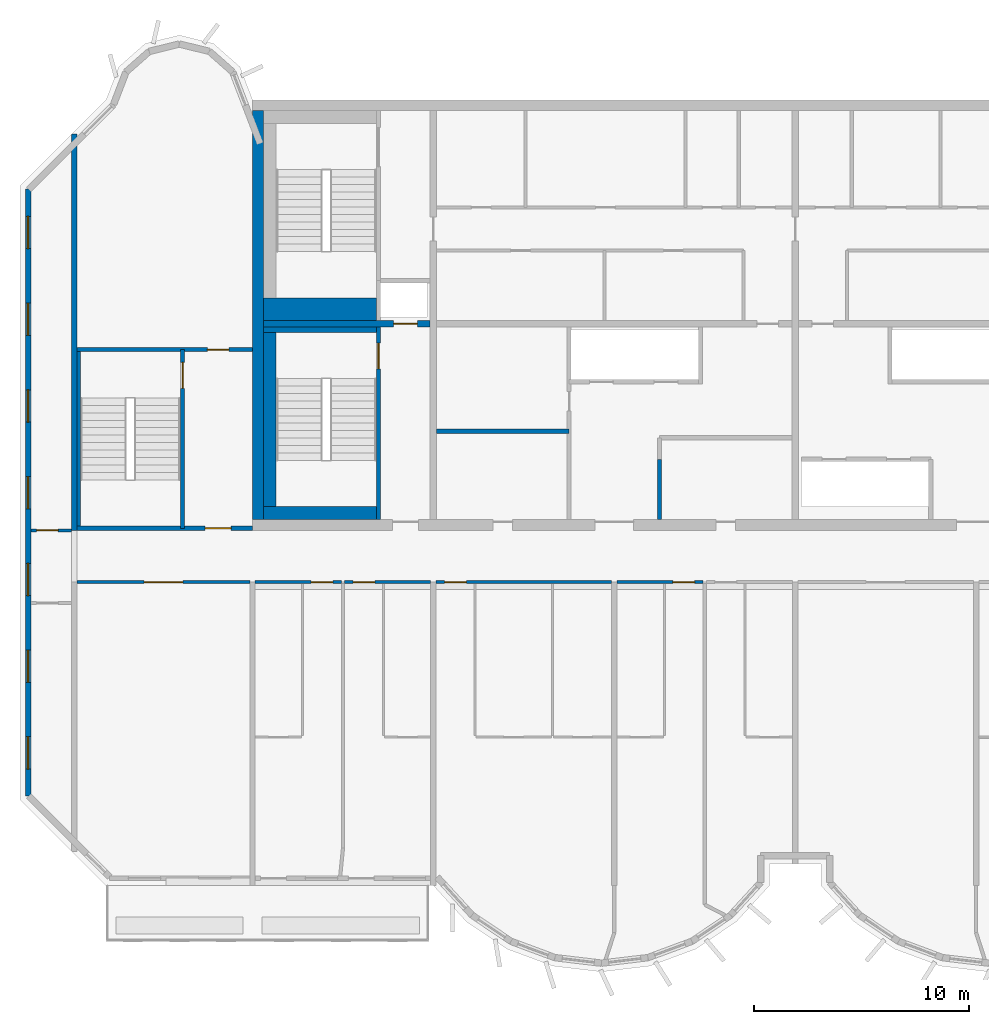
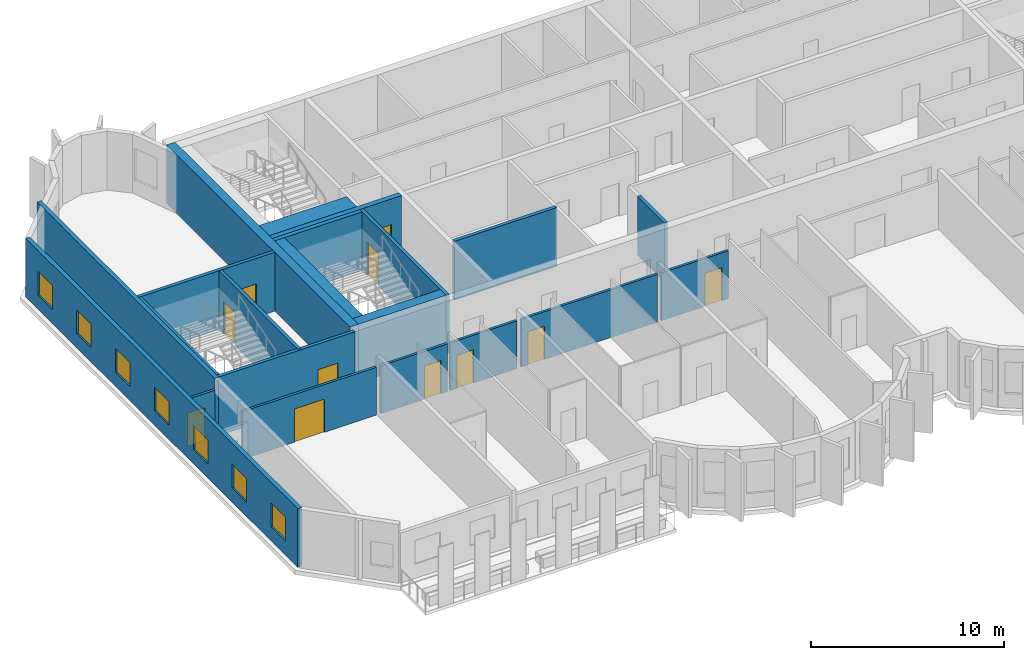
# One storey, part 3 of 12: 21 walls, 11 doors, 7 windows, 18 openings.
"""IFC4 building model written with IfcOpenShell, lengths in metres."""

from ifc_helpers import new_model, si_unit, direction, frame, frame_2d, origin, place, context, subcontext, project, spatial, rectangle, extrude, source, transform, mapped, material, layer, layer_set, type_object, element, fill, save


model = new_model("IFC4")

# Units and contexts
model_context = context("Model", 3, precision=1e-05, world=origin(), true_north=direction((0.0, 1.0)))
body_context = subcontext(model_context, "Body", "Model", "MODEL_VIEW")
ifc_project = project(units=[si_unit("LENGTHUNIT", "METRE"), si_unit("AREAUNIT", "SQUARE_METRE"), si_unit("VOLUMEUNIT", "CUBIC_METRE"), si_unit("PLANEANGLEUNIT", "RADIAN"), si_unit("MASSUNIT", "GRAM", prefix="KILO")], contexts=[model_context])

# Site, building, storey
site_placement = place(None, origin())
site = spatial("IfcSite", under=ifc_project, at=site_placement, CompositionType="ELEMENT")
building_placement = place(site_placement, origin())
building = spatial("IfcBuilding", under=site, at=building_placement, Name="Vanashikhar Sky Hotel", CompositionType="ELEMENT")
storey_placement = place(building_placement, frame((0.0, 0.0, 301.699951171875)))
storey = spatial("IfcBuildingStorey", under=building, at=storey_placement, Name="L72", CompositionType="ELEMENT", Elevation=301.699951171875)

# Wall
ifc_material_1 = material(Name="Concrete M50", Category="concrete")
ifc_layer_1 = layer(ifc_material_1, 0.5)
ifc_layer_set_1 = layer_set([ifc_layer_1], Name="RC core shell wall 500 Concrete M50")
wall_type_1 = type_object("IfcWallType", Name="RC core shell wall 500 Concrete M50", PredefinedType="SHEAR", material=ifc_layer_set_1)
shared_shape_1 = source(origin(), body_context, "Body", "SweptSolid", [
    extrude(rectangle(XDim=19.0, YDim=0.5, at=frame_2d((9.5, 0.0))), origin(), (0.0, 0.0, 1.0), 3.719970703125),
])
wall_1_placement = place(storey_placement, frame((25.449951171875, 22.5, 0.0), z_axis=(0.0, 0.0, 1.0), x_axis=(0.0, 1.0, 0.0)))
element("IfcWall", 1, at=wall_1_placement, inside=storey, type_object=wall_type_1, Name="KW-L72-KW", PredefinedType="SHEAR", context=body_context, shape_type="MappedRepresentation", body=[
    mapped(shared_shape_1, transform((0.0, 0.0, 0.0), scale=1.0)),
])

# Wall, opening, door
ifc_layer_2 = layer(ifc_material_1, 0.300048828125)
ifc_layer_set_2 = layer_set([ifc_layer_2], Name="RC core inner wall 300 Concrete M50")
wall_type_2 = type_object("IfcWallType", Name="RC core inner wall 300 Concrete M50", PredefinedType="SHEAR", material=ifc_layer_set_2)
shared_shape_2 = source(origin(), body_context, "Body", "SweptSolid", [
    extrude(rectangle(XDim=7.75, YDim=0.300048828125, at=frame_2d((3.875, 0.0))), origin(), (0.0, 0.0, 1.0), 3.719970703125),
])
wall_2_placement = place(storey_placement, frame((25.699951171875, 31.60009765625, 0.0), z_axis=(0.0, 0.0, 1.0), x_axis=(1.0, 0.0, 0.0)))
wall_2 = element("IfcWall", 2, at=wall_2_placement, inside=storey, type_object=wall_type_2, Name="KW-L72-KY1", PredefinedType="SHEAR", context=body_context, shape_type="MappedRepresentation", body=[
    mapped(shared_shape_2, transform((0.0, 0.0, 0.0), scale=1.0)),
])
shared_shape_3 = source(origin(), body_context, "Body", "SweptSolid", [
    extrude(rectangle(XDim=1.10009765625, YDim=2.10009765625, at=frame_2d((0.550048828125, 1.050048828125))), frame((0.0, 0.16015625, 0.0), z_axis=(0.0, -1.0, 0.0), x_axis=(1.0, 0.0, 0.0)), (0.0, 0.0, 1.0), 0.320068359375),
])
opening_1_placement = place(wall_2_placement, frame((6.050048828125, 0.0, 0.0)))
opening_1 = element("IfcOpeningElement", 3, at=opening_1_placement, cuts=wall_2, Name="Opening LD", PredefinedType="OPENING", context=body_context, shape_type="MappedRepresentation", body=[
    mapped(shared_shape_3, transform((0.0, 0.0, 0.0), scale=1.0)),
])
ifc_material_2 = material(Name="Stainless steel", Category="steel")
door_type_1 = type_object("IfcDoorType", Name="Lift landing door 1100", OperationType="NOTDEFINED", PredefinedType="DOOR", material=ifc_material_2)
shared_shape_4 = source(origin(), body_context, "Body", "SweptSolid", [
    extrude(rectangle(XDim=1.10009765625, YDim=2.10009765625, at=frame_2d((0.550048828125, 1.050048828125))), frame((0.0, 0.02490234375, 0.0), z_axis=(0.0, -1.0, 0.0), x_axis=(1.0, 0.0, 0.0)), (0.0, 0.0, 1.0), 0.050048828125),
])
door_1_placement = place(opening_1_placement, origin())
door_1 = element("IfcDoor", 4, at=door_1_placement, inside=storey, type_object=door_type_1, Name="Lift landing door 1100", OperationType="SLIDING_TO_LEFT", OverallHeight=2.10009765625, OverallWidth=1.10009765625, PredefinedType="DOOR", context=body_context, shape_type="MappedRepresentation", body=[
    mapped(shared_shape_4, transform((0.0, 0.0, 0.0), scale=1.0)),
])
fill(opening_1, door_1)

# Wall
ifc_layer_3 = layer(ifc_material_1, 0.25)
ifc_layer_set_3 = layer_set([ifc_layer_3], Name="RC shear wall 250 Concrete M50")
wall_type_3 = type_object("IfcWallType", Name="RC shear wall 250 Concrete M50", PredefinedType="SHEAR", material=ifc_layer_set_3)
shared_shape_5 = source(origin(), body_context, "Body", "SweptSolid", [
    extrude(rectangle(XDim=18.39990234375, YDim=0.25, at=frame_2d((9.199951171875, 0.0))), origin(), (0.0, 0.0, 1.0), 3.719970703125),
])
wall_3_placement = place(storey_placement, frame((16.925048828125, 22.0, 0.0), z_axis=(0.0, 0.0, 1.0), x_axis=(0.0, 1.0, 0.0)))
element("IfcWall", 5, at=wall_3_placement, inside=storey, type_object=wall_type_3, Name="CW-L72-XW03-2", PredefinedType="SHEAR", context=body_context, shape_type="MappedRepresentation", body=[
    mapped(shared_shape_5, transform((0.0, 0.0, 0.0), scale=1.0)),
])

# Wall, openings, windows
ifc_layer_4 = layer(ifc_material_1, 0.25)
ifc_layer_set_4 = layer_set([ifc_layer_4], Name="Rear and end board-marked wall 250")
wall_type_4 = type_object("IfcWallType", Name="Rear and end board-marked wall 250", PredefinedType="SOLIDWALL", material=ifc_layer_set_4)
shared_shape_6 = source(origin(), body_context, "Body", "SweptSolid", [
    extrude(rectangle(XDim=28.189453125, YDim=0.25, at=frame_2d((14.0947265625, 0.0))), origin(), (0.0, 0.0, 1.0), 3.719970703125),
])
wall_4_placement = place(storey_placement, frame((14.77490234375, 37.8447265625, 0.0), z_axis=(0.0, 0.0, 1.0), x_axis=(0.0, -1.0, 0.0)))
wall_4 = element("IfcWall", 6, at=wall_4_placement, inside=storey, type_object=wall_type_4, Name="End board-marked wall", PredefinedType="SOLIDWALL", context=body_context, shape_type="MappedRepresentation", body=[
    mapped(shared_shape_6, transform((0.0, 0.0, 0.0), scale=1.0)),
])
shared_shape_7 = source(origin(), body_context, "Body", "SweptSolid", [
    extrude(rectangle(XDim=1.5, YDim=1.5, at=frame_2d((0.75, 0.75))), frame((0.0, 0.135009765625, 0.0), z_axis=(0.0, -1.0, 0.0), x_axis=(1.0, 0.0, 0.0)), (0.0, 0.0, 1.0), 0.27001953125),
])
opening_2_placement = place(wall_4_placement, frame((1.263427734375, 0.0, 0.89990234375)))
opening_2 = element("IfcOpeningElement", 7, at=opening_2_placement, cuts=wall_4, Name="Opening WN-1", PredefinedType="OPENING", context=body_context, shape_type="MappedRepresentation", body=[
    mapped(shared_shape_7, transform((0.0, 0.0, 0.0), scale=1.0)),
])
opening_3_placement = place(wall_4_placement, frame((5.29052734375, 0.0, 0.89990234375)))
opening_3 = element("IfcOpeningElement", 8, at=opening_3_placement, cuts=wall_4, Name="Opening WN-1", PredefinedType="OPENING", context=body_context, shape_type="MappedRepresentation", body=[
    mapped(shared_shape_7, transform((0.0, 0.0, 0.0), scale=1.0)),
])
opening_4_placement = place(wall_4_placement, frame((9.317626953125, 0.0, 0.89990234375)))
opening_4 = element("IfcOpeningElement", 9, at=opening_4_placement, cuts=wall_4, Name="Opening WN-1", PredefinedType="OPENING", context=body_context, shape_type="MappedRepresentation", body=[
    mapped(shared_shape_7, transform((0.0, 0.0, 0.0), scale=1.0)),
])
opening_5_placement = place(wall_4_placement, frame((13.3447265625, 0.0, 0.89990234375)))
opening_5 = element("IfcOpeningElement", 10, at=opening_5_placement, cuts=wall_4, Name="Opening WN-1", PredefinedType="OPENING", context=body_context, shape_type="MappedRepresentation", body=[
    mapped(shared_shape_7, transform((0.0, 0.0, 0.0), scale=1.0)),
])
opening_6_placement = place(wall_4_placement, frame((17.371826171875, 0.0, 0.89990234375)))
opening_6 = element("IfcOpeningElement", 11, at=opening_6_placement, cuts=wall_4, Name="Opening WN-1", PredefinedType="OPENING", context=body_context, shape_type="MappedRepresentation", body=[
    mapped(shared_shape_7, transform((0.0, 0.0, 0.0), scale=1.0)),
])
opening_7_placement = place(wall_4_placement, frame((21.398681640625, 0.0, 0.89990234375)))
opening_7 = element("IfcOpeningElement", 12, at=opening_7_placement, cuts=wall_4, Name="Opening WN-1", PredefinedType="OPENING", context=body_context, shape_type="MappedRepresentation", body=[
    mapped(shared_shape_7, transform((0.0, 0.0, 0.0), scale=1.0)),
])
opening_8_placement = place(wall_4_placement, frame((25.42578125, 0.0, 0.89990234375)))
opening_8 = element("IfcOpeningElement", 13, at=opening_8_placement, cuts=wall_4, Name="Opening WN-1", PredefinedType="OPENING", context=body_context, shape_type="MappedRepresentation", body=[
    mapped(shared_shape_7, transform((0.0, 0.0, 0.0), scale=1.0)),
])
ifc_material_3 = material(Name="Glass", Category="glass")
window_type = type_object("IfcWindowType", Name="Window 1500 x 1500", PartitioningType="SINGLE_PANEL", PredefinedType="WINDOW", material=ifc_material_3)
shared_shape_8 = source(origin(), body_context, "Body", "SweptSolid", [
    extrude(rectangle(XDim=1.5, YDim=1.5, at=frame_2d((0.75, 0.75))), frame((0.0, 0.030029296875, 0.0), z_axis=(0.0, -1.0, 0.0), x_axis=(1.0, 0.0, 0.0)), (0.0, 0.0, 1.0), 0.06005859375),
])
window_1_placement = place(opening_2_placement, origin())
window_1 = element("IfcWindow", 14, at=window_1_placement, inside=storey, type_object=window_type, Name="Window WN-1", OverallHeight=1.5, OverallWidth=1.5, PartitioningType="SINGLE_PANEL", PredefinedType="WINDOW", context=body_context, shape_type="MappedRepresentation", body=[
    mapped(shared_shape_8, transform((0.0, 0.0, 0.0), scale=1.0)),
])
fill(opening_2, window_1)
window_2_placement = place(opening_3_placement, origin())
window_2 = element("IfcWindow", 15, at=window_2_placement, inside=storey, type_object=window_type, Name="Window WN-1", OverallHeight=1.5, OverallWidth=1.5, PartitioningType="SINGLE_PANEL", PredefinedType="WINDOW", context=body_context, shape_type="MappedRepresentation", body=[
    mapped(shared_shape_8, transform((0.0, 0.0, 0.0), scale=1.0)),
])
fill(opening_3, window_2)
window_3_placement = place(opening_4_placement, origin())
window_3 = element("IfcWindow", 16, at=window_3_placement, inside=storey, type_object=window_type, Name="Window WN-1", OverallHeight=1.5, OverallWidth=1.5, PartitioningType="SINGLE_PANEL", PredefinedType="WINDOW", context=body_context, shape_type="MappedRepresentation", body=[
    mapped(shared_shape_8, transform((0.0, 0.0, 0.0), scale=1.0)),
])
fill(opening_4, window_3)
window_4_placement = place(opening_5_placement, origin())
window_4 = element("IfcWindow", 17, at=window_4_placement, inside=storey, type_object=window_type, Name="Window WN-1", OverallHeight=1.5, OverallWidth=1.5, PartitioningType="SINGLE_PANEL", PredefinedType="WINDOW", context=body_context, shape_type="MappedRepresentation", body=[
    mapped(shared_shape_8, transform((0.0, 0.0, 0.0), scale=1.0)),
])
fill(opening_5, window_4)
window_5_placement = place(opening_6_placement, origin())
window_5 = element("IfcWindow", 18, at=window_5_placement, inside=storey, type_object=window_type, Name="Window WN-1", OverallHeight=1.5, OverallWidth=1.5, PartitioningType="SINGLE_PANEL", PredefinedType="WINDOW", context=body_context, shape_type="MappedRepresentation", body=[
    mapped(shared_shape_8, transform((0.0, 0.0, 0.0), scale=1.0)),
])
fill(opening_6, window_5)
window_6_placement = place(opening_7_placement, origin())
window_6 = element("IfcWindow", 19, at=window_6_placement, inside=storey, type_object=window_type, Name="Window WN-1", OverallHeight=1.5, OverallWidth=1.5, PartitioningType="SINGLE_PANEL", PredefinedType="WINDOW", context=body_context, shape_type="MappedRepresentation", body=[
    mapped(shared_shape_8, transform((0.0, 0.0, 0.0), scale=1.0)),
])
fill(opening_7, window_6)
window_7_placement = place(opening_8_placement, origin())
window_7 = element("IfcWindow", 20, at=window_7_placement, inside=storey, type_object=window_type, Name="Window WN-1", OverallHeight=1.5, OverallWidth=1.5, PartitioningType="SINGLE_PANEL", PredefinedType="WINDOW", context=body_context, shape_type="MappedRepresentation", body=[
    mapped(shared_shape_8, transform((0.0, 0.0, 0.0), scale=1.0)),
])
fill(opening_8, window_7)

# Walls
ifc_material_4 = material(Name="Gypsum board partition")
ifc_layer_5 = layer(ifc_material_4, 0.14990234375)
ifc_layer_set_5 = layer_set([ifc_layer_5], Name="Service partition 150")
wall_type_5 = type_object("IfcWallType", Name="Service partition 150", PredefinedType="PARTITIONING", material=ifc_layer_set_5)
shared_shape_9 = source(origin(), body_context, "Body", "SweptSolid", [
    extrude(rectangle(XDim=2.800048828125, YDim=0.199951171875, at=frame_2d((1.39990234375, 0.0))), origin(), (0.0, 0.0, 1.0), 3.719970703125),
])
wall_5_placement = place(storey_placement, frame((44.10009765625, 22.5, 0.0), z_axis=(0.0, 0.0, 1.0), x_axis=(0.0, 1.0, 0.0)))
element("IfcWall", 21, at=wall_5_placement, inside=storey, type_object=wall_type_5, Name="Service partition 150", PredefinedType="PARTITIONING", context=body_context, shape_type="MappedRepresentation", body=[
    mapped(shared_shape_9, transform((0.0, 0.0, 0.0), scale=1.0)),
])
shared_shape_10 = source(origin(), body_context, "Body", "SweptSolid", [
    extrude(rectangle(XDim=6.14990234375, YDim=0.199951171875, at=frame_2d((3.074951171875, 0.0))), origin(), (0.0, 0.0, 1.0), 3.719970703125),
])
wall_6_placement = place(storey_placement, frame((33.75, 26.60009765625, 0.0), z_axis=(0.0, 0.0, 1.0), x_axis=(1.0, 0.0, 0.0)))
element("IfcWall", 22, at=wall_6_placement, inside=storey, type_object=wall_type_5, Name="Service partition 150", PredefinedType="PARTITIONING", context=body_context, shape_type="MappedRepresentation", body=[
    mapped(shared_shape_10, transform((0.0, 0.0, 0.0), scale=1.0)),
])

# Wall, opening, door
ifc_layer_6 = layer(ifc_material_1, 0.199951171875)
ifc_layer_set_6 = layer_set([ifc_layer_6], Name="Stair wall 200")
wall_type_6 = type_object("IfcWallType", Name="Stair wall 200", PredefinedType="SOLIDWALL", material=ifc_layer_set_6)
shared_shape_11 = source(origin(), body_context, "Body", "SweptSolid", [
    extrude(rectangle(XDim=8.949951171875, YDim=0.199951171875, at=frame_2d((4.47509765625, 0.0))), origin(), (0.0, 0.0, 1.0), 3.719970703125),
])
wall_7_placement = place(storey_placement, frame((31.050048828125, 22.5, 0.0), z_axis=(0.0, 0.0, 1.0), x_axis=(0.0, 1.0, 0.0)))
wall_7 = element("IfcWall", 23, at=wall_7_placement, inside=storey, type_object=wall_type_6, Name="Stair wall 200", PredefinedType="SOLIDWALL", context=body_context, shape_type="MappedRepresentation", body=[
    mapped(shared_shape_11, transform((0.0, 0.0, 0.0), scale=1.0)),
])
shared_shape_12 = source(origin(), body_context, "Body", "SweptSolid", [
    extrude(rectangle(XDim=1.199951171875, YDim=2.10009765625, at=frame_2d((0.60009765625, 1.050048828125))), frame((0.0, 0.10986328125, 0.0), z_axis=(0.0, -1.0, 0.0), x_axis=(1.0, 0.0, 0.0)), (0.0, 0.0, 1.0), 0.219970703125),
])
opening_9_placement = place(wall_7_placement, frame((7.0, 0.0, 0.0)))
opening_9 = element("IfcOpeningElement", 24, at=opening_9_placement, cuts=wall_7, Name="Opening DC-1", PredefinedType="OPENING", context=body_context, shape_type="MappedRepresentation", body=[
    mapped(shared_shape_12, transform((0.0, 0.0, 0.0), scale=1.0)),
])
ifc_material_5 = material(Name="Steel", Category="steel")
door_type_2 = type_object("IfcDoorType", Name="Stair door 1200 FD120", OperationType="NOTDEFINED", PredefinedType="DOOR", material=ifc_material_5)
shared_shape_13 = source(origin(), body_context, "Body", "SweptSolid", [
    extrude(rectangle(XDim=1.199951171875, YDim=2.10009765625, at=frame_2d((0.60009765625, 1.050048828125))), frame((0.0, 0.02490234375, 0.0), z_axis=(0.0, -1.0, 0.0), x_axis=(1.0, 0.0, 0.0)), (0.0, 0.0, 1.0), 0.050048828125),
])
door_2_placement = place(opening_9_placement, origin())
door_2 = element("IfcDoor", 25, at=door_2_placement, inside=storey, type_object=door_type_2, Name="Stair door 1200 FD120", OperationType="SINGLE_SWING_RIGHT", OverallHeight=2.10009765625, OverallWidth=1.199951171875, PredefinedType="DOOR", context=body_context, shape_type="MappedRepresentation", body=[
    mapped(shared_shape_13, transform((0.0, 0.0, 0.0), scale=1.0)),
])
fill(opening_9, door_2)

shared_shape_14 = source(origin(), body_context, "Body", "SweptSolid", [
    extrude(rectangle(XDim=8.2998046875, YDim=0.199951171875, at=frame_2d((4.14990234375, 0.0))), origin(), (0.0, 0.0, 1.0), 3.719970703125),
])
wall_8_placement = place(storey_placement, frame((21.949951171875, 22.10009765625, 0.0), z_axis=(0.0, 0.0, 1.0), x_axis=(0.0, 1.0, 0.0)))
wall_8 = element("IfcWall", 26, at=wall_8_placement, inside=storey, type_object=wall_type_6, Name="Stair wall 200", PredefinedType="SOLIDWALL", context=body_context, shape_type="MappedRepresentation", body=[
    mapped(shared_shape_14, transform((0.0, 0.0, 0.0), scale=1.0)),
])
opening_10_placement = place(wall_8_placement, frame((6.5, 0.0, 0.0)))
opening_10 = element("IfcOpeningElement", 27, at=opening_10_placement, cuts=wall_8, Name="Opening DC-1", PredefinedType="OPENING", context=body_context, shape_type="MappedRepresentation", body=[
    mapped(shared_shape_12, transform((0.0, 0.0, 0.0), scale=1.0)),
])
door_3_placement = place(opening_10_placement, origin())
door_3 = element("IfcDoor", 28, at=door_3_placement, inside=storey, type_object=door_type_2, Name="Stair door 1200 FD120", OperationType="SINGLE_SWING_RIGHT", OverallHeight=2.10009765625, OverallWidth=1.199951171875, PredefinedType="DOOR", context=body_context, shape_type="MappedRepresentation", body=[
    mapped(shared_shape_13, transform((0.0, 0.0, 0.0), scale=1.0)),
])
fill(opening_10, door_3)

shared_shape_15 = source(origin(), body_context, "Body", "SweptSolid", [
    extrude(rectangle(XDim=8.14990234375, YDim=0.199951171875, at=frame_2d((4.074951171875, 0.0))), origin(), (0.0, 0.0, 1.0), 3.719970703125),
])
wall_9_placement = place(storey_placement, frame((17.050048828125, 22.10009765625, 0.0), z_axis=(0.0, 0.0, 1.0), x_axis=(1.0, 0.0, 0.0)))
wall_9 = element("IfcWall", 29, at=wall_9_placement, inside=storey, type_object=wall_type_6, Name="Stair wall 200", PredefinedType="SOLIDWALL", context=body_context, shape_type="MappedRepresentation", body=[
    mapped(shared_shape_15, transform((0.0, 0.0, 0.0), scale=1.0)),
])
opening_11_placement = place(wall_9_placement, frame((5.949951171875, 0.0, 0.0)))
opening_11 = element("IfcOpeningElement", 30, at=opening_11_placement, cuts=wall_9, Name="Opening DC-2", PredefinedType="OPENING", context=body_context, shape_type="MappedRepresentation", body=[
    mapped(shared_shape_12, transform((0.0, 0.0, 0.0), scale=1.0)),
])
door_type_3 = type_object("IfcDoorType", Name="Firefighting lobby door 1200 FD120", OperationType="NOTDEFINED", PredefinedType="DOOR", material=ifc_material_5)
door_4_placement = place(opening_11_placement, origin())
door_4 = element("IfcDoor", 31, at=door_4_placement, inside=storey, type_object=door_type_3, Name="Firefighting lobby door 1200 FD120", OperationType="SINGLE_SWING_RIGHT", OverallHeight=2.10009765625, OverallWidth=1.199951171875, PredefinedType="DOOR", context=body_context, shape_type="MappedRepresentation", body=[
    mapped(shared_shape_13, transform((0.0, 0.0, 0.0), scale=1.0)),
])
fill(opening_11, door_4)

wall_10_placement = place(storey_placement, frame((17.050048828125, 30.39990234375, 0.0), z_axis=(0.0, 0.0, 1.0), x_axis=(1.0, 0.0, 0.0)))
wall_10 = element("IfcWall", 32, at=wall_10_placement, inside=storey, type_object=wall_type_6, Name="Stair wall 200", PredefinedType="SOLIDWALL", context=body_context, shape_type="MappedRepresentation", body=[
    mapped(shared_shape_15, transform((0.0, 0.0, 0.0), scale=1.0)),
])
shared_shape_16 = source(origin(), body_context, "Body", "SweptSolid", [
    extrude(rectangle(XDim=1.0, YDim=2.10009765625, at=frame_2d((0.5, 1.050048828125))), frame((0.0, 0.10986328125, 0.0), z_axis=(0.0, -1.0, 0.0), x_axis=(1.0, 0.0, 0.0)), (0.0, 0.0, 1.0), 0.219970703125),
])
opening_12_placement = place(wall_10_placement, frame((6.050048828125, 0.0, 0.0)))
opening_12 = element("IfcOpeningElement", 33, at=opening_12_placement, cuts=wall_10, Name="Opening DC-6", PredefinedType="OPENING", context=body_context, shape_type="MappedRepresentation", body=[
    mapped(shared_shape_16, transform((0.0, 0.0, 0.0), scale=1.0)),
])
door_type_4 = type_object("IfcDoorType", Name="Pocket door 1000 FD60", OperationType="NOTDEFINED", PredefinedType="DOOR", material=ifc_material_5)
shared_shape_17 = source(origin(), body_context, "Body", "SweptSolid", [
    extrude(rectangle(XDim=1.0, YDim=2.10009765625, at=frame_2d((0.5, 1.050048828125))), frame((0.0, 0.02490234375, 0.0), z_axis=(0.0, -1.0, 0.0), x_axis=(1.0, 0.0, 0.0)), (0.0, 0.0, 1.0), 0.050048828125),
])
door_5_placement = place(opening_12_placement, origin())
door_5 = element("IfcDoor", 34, at=door_5_placement, inside=storey, type_object=door_type_4, Name="Pocket door 1000 FD60", OperationType="SINGLE_SWING_RIGHT", OverallHeight=2.10009765625, OverallWidth=1.0, PredefinedType="DOOR", context=body_context, shape_type="MappedRepresentation", body=[
    mapped(shared_shape_17, transform((0.0, 0.0, 0.0), scale=1.0)),
])
fill(opening_12, door_5)

# Walls
ifc_layer_7 = layer(ifc_material_1, 0.60009765625)
ifc_layer_set_7 = layer_set([ifc_layer_7], Name="Stair infill wall 600")
wall_type_7 = type_object("IfcWallType", Name="Stair infill wall 600", PredefinedType="SOLIDWALL", material=ifc_layer_set_7)
shared_shape_18 = source(origin(), body_context, "Body", "SweptSolid", [
    extrude(rectangle(XDim=5.25, YDim=0.60009765625, at=frame_2d((2.625, 0.0))), origin(), (0.0, 0.0, 1.0), 3.719970703125),
])
wall_11_placement = place(storey_placement, frame((25.699951171875, 22.800048828125, 0.0), z_axis=(0.0, 0.0, 1.0), x_axis=(1.0, 0.0, 0.0)))
element("IfcWall", 35, at=wall_11_placement, inside=storey, type_object=wall_type_7, Name="Stair infill wall 600", PredefinedType="SOLIDWALL", context=body_context, shape_type="MappedRepresentation", body=[
    mapped(shared_shape_18, transform((0.0, 0.0, 0.0), scale=1.0)),
])
ifc_layer_8 = layer(ifc_material_1, 0.25)
ifc_layer_set_8 = layer_set([ifc_layer_8], Name="Stair infill wall 250")
wall_type_8 = type_object("IfcWallType", Name="Stair infill wall 250", PredefinedType="SOLIDWALL", material=ifc_layer_set_8)
shared_shape_19 = source(origin(), body_context, "Body", "SweptSolid", [
    extrude(rectangle(XDim=5.25, YDim=0.25, at=frame_2d((2.625, 0.0))), origin(), (0.0, 0.0, 1.0), 3.719970703125),
])
wall_12_placement = place(storey_placement, frame((25.699951171875, 31.324951171875, 0.0), z_axis=(0.0, 0.0, 1.0), x_axis=(1.0, 0.0, 0.0)))
element("IfcWall", 36, at=wall_12_placement, inside=storey, type_object=wall_type_8, Name="Stair infill wall 250", PredefinedType="SOLIDWALL", context=body_context, shape_type="MappedRepresentation", body=[
    mapped(shared_shape_19, transform((0.0, 0.0, 0.0), scale=1.0)),
])
shared_shape_20 = source(origin(), body_context, "Body", "SweptSolid", [
    extrude(rectangle(XDim=8.099853515625, YDim=0.60009765625, at=frame_2d((4.0498046875, 0.0))), origin(), (0.0, 0.0, 1.0), 3.719970703125),
])
wall_13_placement = place(storey_placement, frame((26.0, 23.10009765625, 0.0), z_axis=(0.0, 0.0, 1.0), x_axis=(0.0, 1.0, 0.0)))
element("IfcWall", 37, at=wall_13_placement, inside=storey, type_object=wall_type_7, Name="Stair infill wall 600", PredefinedType="SOLIDWALL", context=body_context, shape_type="MappedRepresentation", body=[
    mapped(shared_shape_20, transform((0.0, 0.0, 0.0), scale=1.0)),
])
ifc_layer_9 = layer(ifc_material_1, 0.14990234375)
ifc_layer_set_9 = layer_set([ifc_layer_9], Name="Stair infill wall 150")
wall_type_9 = type_object("IfcWallType", Name="Stair infill wall 150", PredefinedType="SOLIDWALL", material=ifc_layer_set_9)
shared_shape_21 = source(origin(), body_context, "Body", "SweptSolid", [
    extrude(rectangle(XDim=8.10009765625, YDim=0.14990234375, at=frame_2d((4.050048828125, 0.0))), origin(), (0.0, 0.0, 1.0), 3.719970703125),
])
wall_14_placement = place(storey_placement, frame((17.125, 22.199951171875, 0.0), z_axis=(0.0, 0.0, 1.0), x_axis=(0.0, 1.0, 0.0)))
element("IfcWall", 38, at=wall_14_placement, inside=storey, type_object=wall_type_9, Name="Stair infill wall 150", PredefinedType="SOLIDWALL", context=body_context, shape_type="MappedRepresentation", body=[
    mapped(shared_shape_21, transform((0.0, 0.0, 0.0), scale=1.0)),
])
ifc_layer_10 = layer(ifc_material_1, 1.050048828125)
ifc_layer_set_10 = layer_set([ifc_layer_10], Name="Stair infill wall 1050")
wall_type_10 = type_object("IfcWallType", Name="Stair infill wall 1050", PredefinedType="SOLIDWALL", material=ifc_layer_set_10)
shared_shape_22 = source(origin(), body_context, "Body", "SweptSolid", [
    extrude(rectangle(XDim=5.25, YDim=1.050048828125, at=frame_2d((2.625, 0.0))), origin(), (0.0, 0.0, 1.0), 3.719970703125),
])
wall_15_placement = place(storey_placement, frame((25.699951171875, 32.27490234375, 0.0), z_axis=(0.0, 0.0, 1.0), x_axis=(1.0, 0.0, 0.0)))
element("IfcWall", 39, at=wall_15_placement, inside=storey, type_object=wall_type_10, Name="Stair infill wall 1050", PredefinedType="SOLIDWALL", context=body_context, shape_type="MappedRepresentation", body=[
    mapped(shared_shape_22, transform((0.0, 0.0, 0.0), scale=1.0)),
])

# Wall, opening, door
ifc_material_6 = material(Name="Gypsum plasterboard partition")
ifc_layer_11 = layer(ifc_material_6, 0.14990234375)
ifc_layer_set_11 = layer_set([ifc_layer_11], Name="Corridor and demising partition 150")
wall_type_11 = type_object("IfcWallType", Name="Corridor and demising partition 150", PredefinedType="PARTITIONING", material=ifc_layer_set_11)
shared_shape_23 = source(origin(), body_context, "Body", "SweptSolid", [
    extrude(rectangle(XDim=8.02490234375, YDim=0.14990234375, at=frame_2d((4.012451171875, 0.0))), origin(), (0.0, 0.0, 1.0), 3.02001953125),
])
wall_16_placement = place(storey_placement, frame((17.050048828125, 19.60009765625, 0.0), z_axis=(0.0, 0.0, 1.0), x_axis=(1.0, 0.0, 0.0)))
wall_16 = element("IfcWall", 40, at=wall_16_placement, inside=storey, type_object=wall_type_11, Name="W-L72-PW001", PredefinedType="PARTITIONING", context=body_context, shape_type="MappedRepresentation", body=[
    mapped(shared_shape_23, transform((0.0, 0.0, 0.0), scale=1.0)),
])
shared_shape_24 = source(origin(), body_context, "Body", "SweptSolid", [
    extrude(rectangle(XDim=1.800048828125, YDim=2.10009765625, at=frame_2d((0.89990234375, 1.050048828125))), frame((0.0, 0.0849609375, 0.0), z_axis=(0.0, -1.0, 0.0), x_axis=(1.0, 0.0, 0.0)), (0.0, 0.0, 1.0), 0.169921875),
])
opening_13_placement = place(wall_16_placement, frame((3.113037109375, 0.0, 0.0)))
opening_13 = element("IfcOpeningElement", 41, at=opening_13_placement, cuts=wall_16, Name="Opening D-03", PredefinedType="OPENING", context=body_context, shape_type="MappedRepresentation", body=[
    mapped(shared_shape_24, transform((0.0, 0.0, 0.0), scale=1.0)),
])
ifc_material_7 = material(Name="Timber fire door", Category="wood")
door_type_5 = type_object("IfcDoorType", Name="Double leaf door 1800 FD30S", OperationType="NOTDEFINED", PredefinedType="DOOR", material=ifc_material_7)
shared_shape_25 = source(origin(), body_context, "Body", "SweptSolid", [
    extrude(rectangle(XDim=1.800048828125, YDim=2.10009765625, at=frame_2d((0.89990234375, 1.050048828125))), frame((0.0, 0.02490234375, 0.0), z_axis=(0.0, -1.0, 0.0), x_axis=(1.0, 0.0, 0.0)), (0.0, 0.0, 1.0), 0.050048828125),
])
door_6_placement = place(opening_13_placement, origin())
door_6 = element("IfcDoor", 42, at=door_6_placement, inside=storey, type_object=door_type_5, Name="D-L72-001", OperationType="DOUBLE_DOOR_SINGLE_SWING", OverallHeight=2.10009765625, OverallWidth=1.800048828125, PredefinedType="DOOR", context=body_context, shape_type="MappedRepresentation", body=[
    mapped(shared_shape_25, transform((0.0, 0.0, 0.0), scale=1.0)),
])
fill(opening_13, door_6)

shared_shape_26 = source(origin(), body_context, "Body", "SweptSolid", [
    extrude(rectangle(XDim=8.14990234375, YDim=0.14990234375, at=frame_2d((4.074951171875, 0.0))), origin(), (0.0, 0.0, 1.0), 3.02001953125),
])
wall_17_placement = place(storey_placement, frame((33.72509765625, 19.60009765625, 0.0), z_axis=(0.0, 0.0, 1.0), x_axis=(1.0, 0.0, 0.0)))
wall_17 = element("IfcWall", 43, at=wall_17_placement, inside=storey, type_object=wall_type_11, Name="W-L72-PW013", PredefinedType="PARTITIONING", context=body_context, shape_type="MappedRepresentation", body=[
    mapped(shared_shape_26, transform((0.0, 0.0, 0.0), scale=1.0)),
])
shared_shape_27 = source(origin(), body_context, "Body", "SweptSolid", [
    extrude(rectangle(XDim=1.0, YDim=2.10009765625, at=frame_2d((0.5, 1.050048828125))), frame((0.0, 0.0849609375, 0.0), z_axis=(0.0, -1.0, 0.0), x_axis=(1.0, 0.0, 0.0)), (0.0, 0.0, 1.0), 0.169921875),
])
opening_14_placement = place(wall_17_placement, frame((0.39990234375, 0.0, 0.0)))
opening_14 = element("IfcOpeningElement", 44, at=opening_14_placement, cuts=wall_17, Name="Opening D-01", PredefinedType="OPENING", context=body_context, shape_type="MappedRepresentation", body=[
    mapped(shared_shape_27, transform((0.0, 0.0, 0.0), scale=1.0)),
])
door_type_6 = type_object("IfcDoorType", Name="Guest entry door 1000 FD30S", OperationType="NOTDEFINED", PredefinedType="DOOR", material=ifc_material_7)
door_7_placement = place(opening_14_placement, origin())
door_7 = element("IfcDoor", 45, at=door_7_placement, inside=storey, type_object=door_type_6, Name="D-L72-008", OperationType="SINGLE_SWING_LEFT", OverallHeight=2.10009765625, OverallWidth=1.0, PredefinedType="DOOR", context=body_context, shape_type="MappedRepresentation", body=[
    mapped(shared_shape_17, transform((0.0, 0.0, 0.0), scale=1.0)),
])
fill(opening_14, door_7)

shared_shape_28 = source(origin(), body_context, "Body", "SweptSolid", [
    extrude(rectangle(XDim=1.900146484375, YDim=0.14990234375, at=frame_2d((0.9501953125, 0.0))), origin(), (0.0, 0.0, 1.0), 3.02001953125),
])
wall_18_placement = place(storey_placement, frame((14.89990234375, 22.0, 0.0), z_axis=(0.0, 0.0, 1.0), x_axis=(1.0, 0.0, 0.0)))
wall_18 = element("IfcWall", 46, at=wall_18_placement, inside=storey, type_object=wall_type_11, Name="W-L72-PW043", PredefinedType="PARTITIONING", context=body_context, shape_type="MappedRepresentation", body=[
    mapped(shared_shape_28, transform((0.0, 0.0, 0.0), scale=1.0)),
])
opening_15_placement = place(wall_18_placement, frame((0.27490234375, 0.0, 0.0)))
opening_15 = element("IfcOpeningElement", 47, at=opening_15_placement, cuts=wall_18, Name="Opening D-01", PredefinedType="OPENING", context=body_context, shape_type="MappedRepresentation", body=[
    mapped(shared_shape_27, transform((0.0, 0.0, 0.0), scale=1.0)),
])
door_8_placement = place(opening_15_placement, origin())
door_8 = element("IfcDoor", 48, at=door_8_placement, inside=storey, type_object=door_type_6, Name="D-L72-025", OperationType="SINGLE_SWING_LEFT", OverallHeight=2.10009765625, OverallWidth=1.0, PredefinedType="DOOR", context=body_context, shape_type="MappedRepresentation", body=[
    mapped(shared_shape_17, transform((0.0, 0.0, 0.0), scale=1.0)),
])
fill(opening_15, door_8)

shared_shape_29 = source(origin(), body_context, "Body", "SweptSolid", [
    extrude(rectangle(XDim=4.0, YDim=0.14990234375, at=frame_2d((2.0, 0.0))), origin(), (0.0, 0.0, 1.0), 3.02001953125),
])
wall_19_placement = place(storey_placement, frame((25.324951171875, 19.60009765625, 0.0), z_axis=(0.0, 0.0, 1.0), x_axis=(1.0, 0.0, 0.0)))
wall_19 = element("IfcWall", 49, at=wall_19_placement, inside=storey, type_object=wall_type_11, Name="W-L72-PW004", PredefinedType="PARTITIONING", context=body_context, shape_type="MappedRepresentation", body=[
    mapped(shared_shape_29, transform((0.0, 0.0, 0.0), scale=1.0)),
])
opening_16_placement = place(wall_19_placement, frame((2.60009765625, 0.0, 0.0)))
opening_16 = element("IfcOpeningElement", 50, at=opening_16_placement, cuts=wall_19, Name="Opening D-01", PredefinedType="OPENING", context=body_context, shape_type="MappedRepresentation", body=[
    mapped(shared_shape_27, transform((0.0, 0.0, 0.0), scale=1.0)),
])
door_9_placement = place(opening_16_placement, origin())
door_9 = element("IfcDoor", 51, at=door_9_placement, inside=storey, type_object=door_type_6, Name="D-L72-003", OperationType="SINGLE_SWING_RIGHT", OverallHeight=2.10009765625, OverallWidth=1.0, PredefinedType="DOOR", context=body_context, shape_type="MappedRepresentation", body=[
    mapped(shared_shape_17, transform((0.0, 0.0, 0.0), scale=1.0)),
])
fill(opening_16, door_9)

wall_20_placement = place(storey_placement, frame((29.47509765625, 19.60009765625, 0.0), z_axis=(0.0, 0.0, 1.0), x_axis=(1.0, 0.0, 0.0)))
wall_20 = element("IfcWall", 52, at=wall_20_placement, inside=storey, type_object=wall_type_11, Name="W-L72-PW007", PredefinedType="PARTITIONING", context=body_context, shape_type="MappedRepresentation", body=[
    mapped(shared_shape_29, transform((0.0, 0.0, 0.0), scale=1.0)),
])
opening_17_placement = place(wall_20_placement, frame((0.39990234375, 0.0, 0.0)))
opening_17 = element("IfcOpeningElement", 53, at=opening_17_placement, cuts=wall_20, Name="Opening D-01", PredefinedType="OPENING", context=body_context, shape_type="MappedRepresentation", body=[
    mapped(shared_shape_27, transform((0.0, 0.0, 0.0), scale=1.0)),
])
door_10_placement = place(opening_17_placement, origin())
door_10 = element("IfcDoor", 54, at=door_10_placement, inside=storey, type_object=door_type_6, Name="D-L72-005", OperationType="SINGLE_SWING_LEFT", OverallHeight=2.10009765625, OverallWidth=1.0, PredefinedType="DOOR", context=body_context, shape_type="MappedRepresentation", body=[
    mapped(shared_shape_17, transform((0.0, 0.0, 0.0), scale=1.0)),
])
fill(opening_17, door_10)

wall_21_placement = place(storey_placement, frame((42.125, 19.60009765625, 0.0), z_axis=(0.0, 0.0, 1.0), x_axis=(1.0, 0.0, 0.0)))
wall_21 = element("IfcWall", 55, at=wall_21_placement, inside=storey, type_object=wall_type_11, Name="W-L72-PW016", PredefinedType="PARTITIONING", context=body_context, shape_type="MappedRepresentation", body=[
    mapped(shared_shape_29, transform((0.0, 0.0, 0.0), scale=1.0)),
])
opening_18_placement = place(wall_21_placement, frame((2.60009765625, 0.0, 0.0)))
opening_18 = element("IfcOpeningElement", 56, at=opening_18_placement, cuts=wall_21, Name="Opening D-01", PredefinedType="OPENING", context=body_context, shape_type="MappedRepresentation", body=[
    mapped(shared_shape_27, transform((0.0, 0.0, 0.0), scale=1.0)),
])
door_11_placement = place(opening_18_placement, origin())
door_11 = element("IfcDoor", 57, at=door_11_placement, inside=storey, type_object=door_type_6, Name="D-L72-010", OperationType="SINGLE_SWING_RIGHT", OverallHeight=2.10009765625, OverallWidth=1.0, PredefinedType="DOOR", context=body_context, shape_type="MappedRepresentation", body=[
    mapped(shared_shape_17, transform((0.0, 0.0, 0.0), scale=1.0)),
])
fill(opening_18, door_11)

save(model, "model.ifc")
